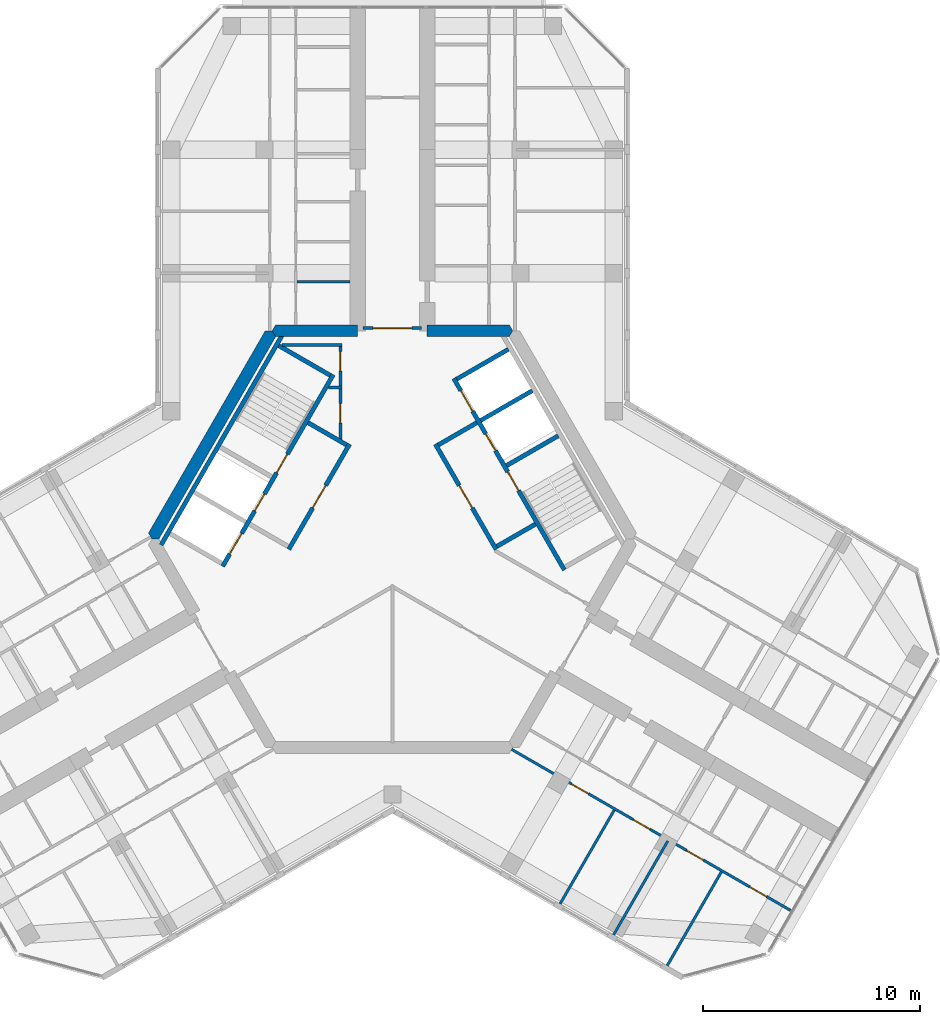
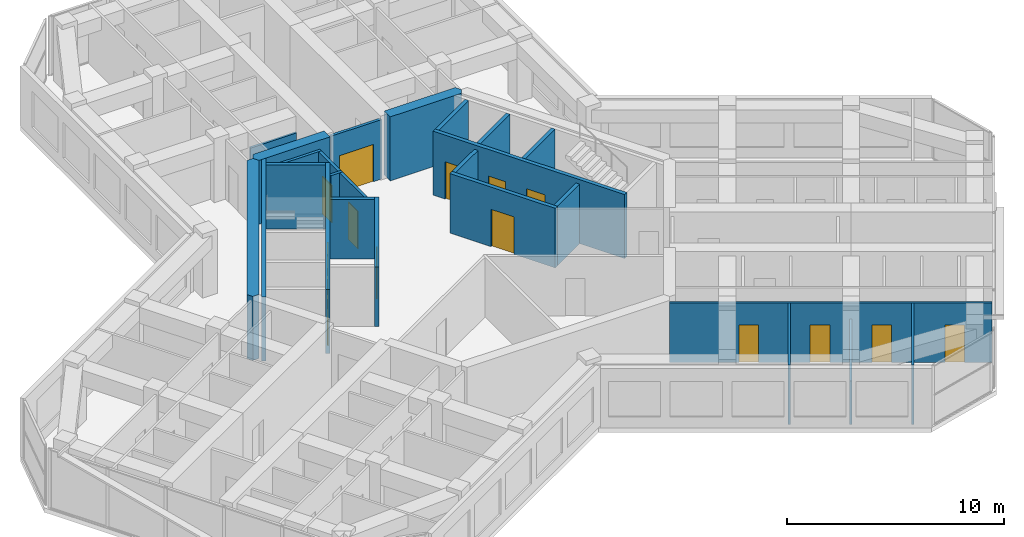
# One storey, part 9 of 14: 24 walls, 15 doors, 15 openings.
"""IFC4 building model written with IfcOpenShell, lengths in metres."""

from ifc_helpers import new_model, si_unit, direction, frame, frame_2d, origin, place, context, subcontext, project, spatial, polyline, rectangle, outline, extrude, material, layer, layer_set, type_object, element, fill, save


model = new_model("IFC4")

# Units and contexts
model_context = context("Model", 3, precision=1e-05, world=origin(), true_north=direction((0.0, 1.0)))
body_context = subcontext(model_context, "Body", "Model", "MODEL_VIEW")
ifc_project = project(units=[si_unit("LENGTHUNIT", "METRE"), si_unit("AREAUNIT", "SQUARE_METRE"), si_unit("VOLUMEUNIT", "CUBIC_METRE"), si_unit("PLANEANGLEUNIT", "RADIAN"), si_unit("MASSUNIT", "GRAM", prefix="KILO")], contexts=[model_context])

# Site, building, storey
site_placement = place(None, origin())
site = spatial("IfcSite", under=ifc_project, at=site_placement, CompositionType="ELEMENT")
building_placement = place(site_placement, origin())
building = spatial("IfcBuilding", under=site, at=building_placement, Name="Kosmar Iwan School Tower", CompositionType="ELEMENT")
storey_placement = place(building_placement, frame((0.0, 0.0, 274.60009765625)))
storey = spatial("IfcBuildingStorey", under=building, at=storey_placement, Name="L69", CompositionType="ELEMENT", Elevation=274.60009765625)

# Wall, openings, doors
ifc_material_1 = material(Name="Gypsum board on steel studs, fire-rated", Category="steel")
ifc_layer_1 = layer(ifc_material_1, 0.14990234375)
ifc_layer_set_1 = layer_set([ifc_layer_1], Name="Core room partition 150")
wall_type_1 = type_object("IfcWallType", Name="Core room partition 150", PredefinedType="PARTITIONING", material=ifc_layer_set_1)
wall_1_placement = place(storey_placement, frame((-2.39990234375, 9.014892578125, 0.0), z_axis=(0.0, 0.0, 1.0), x_axis=(0.0, -1.0, 0.0)))
wall_1 = element("IfcWall", 1, at=wall_1_placement, inside=storey, type_object=wall_type_1, Name="Core room partition L69-CW1", PredefinedType="PARTITIONING", context=body_context, shape_type="SweptSolid", body=[
    extrude(rectangle(XDim=4.484130859375, YDim=0.14990234375, at=frame_2d((2.2421875, 0.0))), origin(), (0.0, 0.0, 1.0), 3.349853515625),
])
opening_1_placement = place(wall_1_placement, frame((0.375, 0.0, 0.0)))
opening_1 = element("IfcOpeningElement", 2, at=opening_1_placement, cuts=wall_1, Name="Opening D14", PredefinedType="OPENING", context=body_context, shape_type="SweptSolid", body=[
    extrude(rectangle(XDim=0.89990234375, YDim=2.10009765625, at=frame_2d((0.449951171875, 1.050048828125))), frame((0.0, 0.0869140625, 0.0), z_axis=(0.0, -1.0, 0.0), x_axis=(1.0, 0.0, 0.0)), (0.0, 0.0, 1.0), 0.173828125),
])
opening_2_placement = place(wall_1_placement, frame((2.77490234375, 0.0, 0.0)))
opening_2 = element("IfcOpeningElement", 3, at=opening_2_placement, cuts=wall_1, Name="Opening D14", PredefinedType="OPENING", context=body_context, shape_type="SweptSolid", body=[
    extrude(rectangle(XDim=0.89990234375, YDim=2.10009765625, at=frame_2d((0.449951171875, 1.050048828125))), frame((0.0, 0.0869140625, 0.0), z_axis=(0.0, -1.0, 0.0), x_axis=(1.0, 0.0, 0.0)), (0.0, 0.0, 1.0), 0.173828125),
])
ifc_material_2 = material(Name="Timber fire door in steel frame", Category="steel")
door_type_1 = type_object("IfcDoorType", Name="Core room door 900x2100", OperationType="SINGLE_SWING_LEFT", PredefinedType="DOOR", material=ifc_material_2)
door_1_placement = place(opening_1_placement, origin())
door_1 = element("IfcDoor", 4, at=door_1_placement, inside=storey, type_object=door_type_1, Name="Electrical riser and switch room door L69 1", OperationType="SINGLE_SWING_LEFT", OverallHeight=2.10009765625, OverallWidth=0.89990234375, PredefinedType="DOOR", context=body_context, shape_type="SweptSolid", body=[
    extrude(rectangle(XDim=0.89990234375, YDim=2.10009765625, at=frame_2d((0.449951171875, 1.050048828125))), frame((0.0, 0.02490234375, 0.0), z_axis=(0.0, -1.0, 0.0), x_axis=(1.0, 0.0, 0.0)), (0.0, 0.0, 1.0), 0.050048828125),
])
fill(opening_1, door_1)
door_2_placement = place(opening_2_placement, origin())
door_2 = element("IfcDoor", 5, at=door_2_placement, inside=storey, type_object=door_type_1, Name="Plumbing and wet riser door L69 2", OperationType="SINGLE_SWING_RIGHT", OverallHeight=2.10009765625, OverallWidth=0.89990234375, PredefinedType="DOOR", context=body_context, shape_type="SweptSolid", body=[
    extrude(rectangle(XDim=0.89990234375, YDim=2.10009765625, at=frame_2d((0.449951171875, 1.050048828125))), frame((0.0, 0.02490234375, 0.0), z_axis=(0.0, -1.0, 0.0), x_axis=(1.0, 0.0, 0.0)), (0.0, 0.0, 1.0), 0.050048828125),
])
fill(opening_2, door_2)

# Walls
wall_2_placement = place(storey_placement, frame((-2.324951171875, 6.985107421875, 0.0), z_axis=(0.0, 0.0, 1.0), x_axis=(-1.0, 0.0, 0.0)))
element("IfcWall", 6, at=wall_2_placement, inside=storey, type_object=wall_type_1, Name="Core room partition L69-CW2", PredefinedType="PARTITIONING", context=body_context, shape_type="SweptSolid", body=[
    extrude(rectangle(XDim=0.623779296875, YDim=0.14990234375, at=frame_2d((0.31201171875, 0.0))), origin(), (0.0, 0.0, 1.0), 3.349853515625),
])
wall_3_placement = place(storey_placement, frame((-5.089599609375, 8.93994140625, 0.0), z_axis=(0.0, 0.0, 1.0), x_axis=(1.0, 0.0, 0.0)))
element("IfcWall", 7, at=wall_3_placement, inside=storey, type_object=wall_type_1, Name="Core room partition L69-CW3", PredefinedType="PARTITIONING", context=body_context, shape_type="SweptSolid", body=[
    extrude(rectangle(XDim=2.7646484375, YDim=0.14990234375, at=frame_2d((1.38232421875, 0.0))), origin(), (0.0, 0.0, 1.0), 3.349853515625),
])
ifc_material_3 = material(Name="Concrete C50/60", Category="concrete")
ifc_layer_2 = layer(ifc_material_3, 0.550048828125)
ifc_layer_set_2 = layer_set([ifc_layer_2], Name="Core wall 550")
wall_type_2 = type_object("IfcWallType", Name="Core wall 550", PredefinedType="SHEAR", material=ifc_layer_set_2)
wall_4_placement = place(storey_placement, origin())
element("IfcWall", 8, at=wall_4_placement, inside=storey, type_object=wall_type_2, Name="Core wall F090a", PredefinedType="SHEAR", context=body_context, shape_type="SweptSolid", body=[
    extrude(outline(polyline([(1.60009765625, 9.324951171875), (5.3837890625, 9.324951171875), (5.54248046875, 9.60009765625), (5.3837890625, 9.875), (1.60009765625, 9.875), (1.60009765625, 9.324951171875)])), origin(), (0.0, 0.0, 1.0), 3.599853515625),
])
wall_5_placement = place(storey_placement, origin())
element("IfcWall", 9, at=wall_5_placement, inside=storey, type_object=wall_type_2, Name="Core wall F090b", PredefinedType="SHEAR", context=body_context, shape_type="SweptSolid", body=[
    extrude(outline(polyline([(-5.3837890625, 9.324951171875), (-1.60009765625, 9.324951171875), (-1.60009765625, 9.875), (-5.3837890625, 9.875), (-5.54248046875, 9.60009765625), (-5.3837890625, 9.324951171875)])), origin(), (0.0, 0.0, 1.0), 3.599853515625),
])
wall_6_placement = place(storey_placement, origin())
element("IfcWall", 10, at=wall_6_placement, inside=storey, type_object=wall_type_2, Name="Core wall F150", PredefinedType="SHEAR", context=body_context, shape_type="SweptSolid", body=[
    extrude(outline(polyline([(-11.085205078125, 0.0), (-10.767578125, 0.0), (-5.3837890625, 9.324951171875), (-5.54248046875, 9.60009765625), (-5.860107421875, 9.60009765625), (-11.243896484375, 0.27490234375), (-11.085205078125, 0.0)])), origin(), (0.0, 0.0, 1.0), 3.599853515625),
])

# Wall, opening, door
ifc_material_4 = material(Name="Steel framed glazed screen", Category="steel")
ifc_layer_3 = layer(ifc_material_4, 0.14990234375)
ifc_layer_set_3 = layer_set([ifc_layer_3], Name="Corridor screen wall 150")
wall_type_3 = type_object("IfcWallType", Name="Corridor screen wall 150", PredefinedType="PARTITIONING", material=ifc_layer_set_3)
wall_7_placement = place(storey_placement, frame((1.35009765625, 9.72509765625, 0.0), z_axis=(0.0, 0.0, 1.0), x_axis=(-1.0, 0.0, 0.0)))
wall_7 = element("IfcWall", 11, at=wall_7_placement, inside=storey, type_object=wall_type_3, Name="Corridor screen A L69", PredefinedType="PARTITIONING", context=body_context, shape_type="SweptSolid", body=[
    extrude(rectangle(XDim=2.7001953125, YDim=0.14990234375, at=frame_2d((1.35009765625, 0.0))), origin(), (0.0, 0.0, 1.0), 3.349853515625),
])
opening_3_placement = place(wall_7_placement, frame((0.449951171875, 0.0, 0.0)))
opening_3 = element("IfcOpeningElement", 12, at=opening_3_placement, cuts=wall_7, Name="Opening D9", PredefinedType="OPENING", context=body_context, shape_type="SweptSolid", body=[
    extrude(rectangle(XDim=1.800048828125, YDim=2.10009765625, at=frame_2d((0.89990234375, 1.050048828125))), frame((0.0, 0.0869140625, 0.0), z_axis=(0.0, -1.0, 0.0), x_axis=(1.0, 0.0, 0.0)), (0.0, 0.0, 1.0), 0.173828125),
])
ifc_material_5 = material(Name="Steel framed glazed smoke door", Category="steel")
door_type_2 = type_object("IfcDoorType", Name="Corridor smoke door pair 1800x2100", OperationType="DOUBLE_DOOR_DOUBLE_SWING", PredefinedType="DOOR", material=ifc_material_5)
door_3_placement = place(opening_3_placement, origin())
door_3 = element("IfcDoor", 13, at=door_3_placement, inside=storey, type_object=door_type_2, Name="Corridor doors A L69", OperationType="DOUBLE_DOOR_DOUBLE_SWING", OverallHeight=2.10009765625, OverallWidth=1.800048828125, PredefinedType="DOOR", context=body_context, shape_type="SweptSolid", body=[
    extrude(rectangle(XDim=1.800048828125, YDim=2.10009765625, at=frame_2d((0.89990234375, 1.050048828125))), frame((0.0, 0.02490234375, 0.0), z_axis=(0.0, -1.0, 0.0), x_axis=(1.0, 0.0, 0.0)), (0.0, 0.0, 1.0), 0.050048828125),
])
fill(opening_3, door_3)

# Wall
ifc_material_6 = material(Name="Gypsum board on steel studs", Category="steel")
ifc_layer_4 = layer(ifc_material_6, 0.1201171875)
ifc_layer_set_4 = layer_set([ifc_layer_4], Name="Dwelling partition 120")
wall_type_4 = type_object("IfcWallType", Name="Dwelling partition 120", PredefinedType="PARTITIONING", material=ifc_layer_set_4)
wall_8_placement = place(storey_placement, frame((-1.949951171875, 11.85009765625, 0.0), z_axis=(0.0, 0.0, 1.0), x_axis=(-1.0, 0.0, 0.0)))
element("IfcWall", 14, at=wall_8_placement, inside=storey, type_object=wall_type_4, Name="Partition L69-AL1-Y1", PredefinedType="PARTITIONING", context=body_context, shape_type="SweptSolid", body=[
    extrude(rectangle(XDim=2.43994140625, YDim=0.1201171875, at=frame_2d((1.219970703125, 0.0))), origin(), (0.0, 0.0, 1.0), 2.449951171875),
])

# Wall, openings, doors
wall_9_placement = place(storey_placement, frame((5.48876953125, -9.693115234375, 0.0), z_axis=(0.0, 0.0, 1.0), x_axis=(0.866030301974, -0.499991515992, 0.0)))
wall_9 = element("IfcWall", 15, at=wall_9_placement, inside=storey, type_object=wall_type_4, Name="Partition L69-CR1-W2", PredefinedType="PARTITIONING", context=body_context, shape_type="SweptSolid", body=[
    extrude(rectangle(XDim=14.844970703125, YDim=0.1201171875, at=frame_2d((7.42236328125, 0.0))), origin(), (0.0, 0.0, 1.0), 3.349853515625),
])
opening_4_placement = place(wall_9_placement, frame((3.199951171875, 0.0, 0.0)))
opening_4 = element("IfcOpeningElement", 16, at=opening_4_placement, cuts=wall_9, Name="Opening D2", PredefinedType="OPENING", context=body_context, shape_type="SweptSolid", body=[
    extrude(rectangle(XDim=0.89990234375, YDim=2.10009765625, at=frame_2d((0.449951171875, 1.050048828125))), frame((0.0, 0.072021484375, 0.0), z_axis=(0.0, -1.0, 0.0), x_axis=(1.0, 0.0, 0.0)), (0.0, 0.0, 1.0), 0.14404296875),
])
opening_5_placement = place(wall_9_placement, frame((6.47509765625, 0.0, 0.0)))
opening_5 = element("IfcOpeningElement", 17, at=opening_5_placement, cuts=wall_9, Name="Opening D2", PredefinedType="OPENING", context=body_context, shape_type="SweptSolid", body=[
    extrude(rectangle(XDim=0.89990234375, YDim=2.10009765625, at=frame_2d((0.449951171875, 1.050048828125))), frame((0.0, 0.072021484375, 0.0), z_axis=(0.0, -1.0, 0.0), x_axis=(1.0, 0.0, 0.0)), (0.0, 0.0, 1.0), 0.14404296875),
])
opening_6_placement = place(wall_9_placement, frame((9.324951171875, 0.0, 0.0)))
opening_6 = element("IfcOpeningElement", 18, at=opening_6_placement, cuts=wall_9, Name="Opening D2", PredefinedType="OPENING", context=body_context, shape_type="SweptSolid", body=[
    extrude(rectangle(XDim=0.89990234375, YDim=2.10009765625, at=frame_2d((0.449951171875, 1.050048828125))), frame((0.0, 0.072021484375, 0.0), z_axis=(0.0, -1.0, 0.0), x_axis=(1.0, 0.0, 0.0)), (0.0, 0.0, 1.0), 0.14404296875),
])
opening_7_placement = place(wall_9_placement, frame((12.675048828125, 0.0, 0.0)))
opening_7 = element("IfcOpeningElement", 19, at=opening_7_placement, cuts=wall_9, Name="Opening D2", PredefinedType="OPENING", context=body_context, shape_type="SweptSolid", body=[
    extrude(rectangle(XDim=0.89990234375, YDim=2.10009765625, at=frame_2d((0.449951171875, 1.050048828125))), frame((0.0, 0.072021484375, 0.0), z_axis=(0.0, -1.0, 0.0), x_axis=(1.0, 0.0, 0.0)), (0.0, 0.0, 1.0), 0.14404296875),
])
ifc_material_7 = material(Name="Timber door in timber frame", Category="wood")
door_type_3 = type_object("IfcDoorType", Name="Internal door 900x2100", OperationType="SINGLE_SWING_LEFT", PredefinedType="DOOR", material=ifc_material_7)
door_4_placement = place(opening_4_placement, origin())
door_4 = element("IfcDoor", 20, at=door_4_placement, inside=storey, type_object=door_type_3, Name="Living room and kitchen door L69-CR1-F1", OperationType="SINGLE_SWING_LEFT", OverallHeight=2.10009765625, OverallWidth=0.89990234375, PredefinedType="DOOR", context=body_context, shape_type="SweptSolid", body=[
    extrude(rectangle(XDim=0.89990234375, YDim=2.10009765625, at=frame_2d((0.449951171875, 1.050048828125))), frame((0.0, 0.02490234375, 0.0), z_axis=(0.0, -1.0, 0.0), x_axis=(1.0, 0.0, 0.0)), (0.0, 0.0, 1.0), 0.050048828125),
])
fill(opening_4, door_4)
door_5_placement = place(opening_5_placement, origin())
door_5 = element("IfcDoor", 21, at=door_5_placement, inside=storey, type_object=door_type_3, Name="Bedroom 1 door L69-CR1-F2", OperationType="SINGLE_SWING_LEFT", OverallHeight=2.10009765625, OverallWidth=0.89990234375, PredefinedType="DOOR", context=body_context, shape_type="SweptSolid", body=[
    extrude(rectangle(XDim=0.89990234375, YDim=2.10009765625, at=frame_2d((0.449951171875, 1.050048828125))), frame((0.0, 0.02490234375, 0.0), z_axis=(0.0, -1.0, 0.0), x_axis=(1.0, 0.0, 0.0)), (0.0, 0.0, 1.0), 0.050048828125),
])
fill(opening_5, door_5)
door_6_placement = place(opening_6_placement, origin())
door_6 = element("IfcDoor", 22, at=door_6_placement, inside=storey, type_object=door_type_3, Name="Dining room door L69-CR1-F3", OperationType="SINGLE_SWING_RIGHT", OverallHeight=2.10009765625, OverallWidth=0.89990234375, PredefinedType="DOOR", context=body_context, shape_type="SweptSolid", body=[
    extrude(rectangle(XDim=0.89990234375, YDim=2.10009765625, at=frame_2d((0.449951171875, 1.050048828125))), frame((0.0, 0.02490234375, 0.0), z_axis=(0.0, -1.0, 0.0), x_axis=(1.0, 0.0, 0.0)), (0.0, 0.0, 1.0), 0.050048828125),
])
fill(opening_6, door_6)
door_7_placement = place(opening_7_placement, origin())
door_7 = element("IfcDoor", 23, at=door_7_placement, inside=storey, type_object=door_type_3, Name="Study door L69-CR1-F4", OperationType="SINGLE_SWING_RIGHT", OverallHeight=2.10009765625, OverallWidth=0.89990234375, PredefinedType="DOOR", context=body_context, shape_type="SweptSolid", body=[
    extrude(rectangle(XDim=0.89990234375, YDim=2.10009765625, at=frame_2d((0.449951171875, 1.050048828125))), frame((0.0, 0.02490234375, 0.0), z_axis=(0.0, -1.0, 0.0), x_axis=(1.0, 0.0, 0.0)), (0.0, 0.0, 1.0), 0.050048828125),
])
fill(opening_7, door_7)

# Walls
wall_10_placement = place(storey_placement, frame((10.221923828125, -12.4951171875, 0.0), z_axis=(0.0, 0.0, 1.0), x_axis=(-0.499996339024, -0.86602751744, 0.0)))
element("IfcWall", 24, at=wall_10_placement, inside=storey, type_object=wall_type_4, Name="Partition L69-CR1-X1", PredefinedType="PARTITIONING", context=body_context, shape_type="SweptSolid", body=[
    extrude(rectangle(XDim=4.98974609375, YDim=0.1201171875, at=frame_2d((2.494873046875, 0.0))), origin(), (0.0, 0.0, 1.0), 3.349853515625),
])
wall_11_placement = place(storey_placement, frame((12.690185546875, -13.919921875, 0.0), z_axis=(0.0, 0.0, 1.0), x_axis=(-0.500011847778, -0.866018563358, 0.0)))
element("IfcWall", 25, at=wall_11_placement, inside=storey, type_object=wall_type_4, Name="Partition L69-CR1-X2", PredefinedType="PARTITIONING", context=body_context, shape_type="SweptSolid", body=[
    extrude(rectangle(XDim=4.990234375, YDim=0.1201171875, at=frame_2d((2.4951171875, 0.0))), origin(), (0.0, 0.0, 1.0), 2.449951171875),
])
wall_12_placement = place(storey_placement, frame((15.158447265625, -15.344970703125, 0.0), z_axis=(0.0, 0.0, 1.0), x_axis=(-0.500011847778, -0.866018563358, 0.0)))
element("IfcWall", 26, at=wall_12_placement, inside=storey, type_object=wall_type_4, Name="Partition L69-CR1-X3", PredefinedType="PARTITIONING", context=body_context, shape_type="SweptSolid", body=[
    extrude(rectangle(XDim=4.990234375, YDim=0.1201171875, at=frame_2d((2.4951171875, 0.0))), origin(), (0.0, 0.0, 1.0), 3.349853515625),
])

# Wall, opening, door
ifc_material_8 = material(Name="Concrete block masonry", Category="masonry")
ifc_layer_5 = layer(ifc_material_8, 0.199951171875)
ifc_layer_set_5 = layer_set([ifc_layer_5], Name="Fire lobby wall 200")
wall_type_5 = type_object("IfcWallType", Name="Fire lobby wall 200", PredefinedType="PARTITIONING", material=ifc_layer_set_5)
wall_13_placement = place(storey_placement, frame((-1.9775390625, 4.374755859375, 0.0), z_axis=(0.0, 0.0, 1.0), x_axis=(-0.500016814911, -0.866015695474, 0.0)))
wall_13 = element("IfcWall", 27, at=wall_13_placement, inside=storey, type_object=wall_type_5, Name="Firefighting lobby wall ST2", PredefinedType="PARTITIONING", context=body_context, shape_type="SweptSolid", body=[
    extrude(rectangle(XDim=5.599853515625, YDim=0.199951171875, at=frame_2d((2.7998046875, 0.0))), origin(), (0.0, 0.0, 1.0), 3.349853515625),
])
opening_8_placement = place(wall_13_placement, frame((2.199951171875, 0.0, 0.0)))
opening_8 = element("IfcOpeningElement", 28, at=opening_8_placement, cuts=wall_13, Name="Opening D7", PredefinedType="OPENING", context=body_context, shape_type="SweptSolid", body=[
    extrude(rectangle(XDim=1.199951171875, YDim=2.10009765625, at=frame_2d((0.60009765625, 1.050048828125))), frame((0.0, 0.112060546875, 0.0), z_axis=(0.0, -1.0, 0.0), x_axis=(1.0, 0.0, 0.0)), (0.0, 0.0, 1.0), 0.223876953125),
])
ifc_material_9 = material(Name="Steel fire door", Category="steel")
door_type_4 = type_object("IfcDoorType", Name="Fire lobby door 1200x2100", OperationType="SINGLE_SWING_LEFT", PredefinedType="DOOR", material=ifc_material_9)
door_8_placement = place(opening_8_placement, origin())
door_8 = element("IfcDoor", 29, at=door_8_placement, inside=storey, type_object=door_type_4, Name="Firefighting lobby door ST2 L69", OperationType="SINGLE_SWING_LEFT", OverallHeight=2.10009765625, OverallWidth=1.199951171875, PredefinedType="DOOR", context=body_context, shape_type="SweptSolid", body=[
    extrude(rectangle(XDim=1.199951171875, YDim=2.10009765625, at=frame_2d((0.60009765625, 1.050048828125))), frame((0.0, 0.02490234375, 0.0), z_axis=(0.0, -1.0, 0.0), x_axis=(1.0, 0.0, 0.0)), (0.0, 0.0, 1.0), 0.050048828125),
])
fill(opening_8, door_8)

# Wall
wall_14_placement = place(storey_placement, frame((-2.114013671875, 4.33837890625, 0.0), z_axis=(0.0, 0.0, 1.0), x_axis=(-0.866050731258, 0.499956128963, 0.0)))
element("IfcWall", 30, at=wall_14_placement, inside=storey, type_object=wall_type_5, Name="Firefighting lobby wall ST2", PredefinedType="PARTITIONING", context=body_context, shape_type="SweptSolid", body=[
    extrude(rectangle(XDim=2.050048828125, YDim=0.199951171875, at=frame_2d((1.02490234375, 0.0))), origin(), (0.0, 0.0, 1.0), 3.349853515625),
])

# Wall, opening, door
wall_15_placement = place(storey_placement, frame((4.777587890625, -0.474853515625, 0.0), z_axis=(0.0, 0.0, 1.0), x_axis=(-0.500016814911, 0.866015695474, 0.0)))
wall_15 = element("IfcWall", 31, at=wall_15_placement, inside=storey, type_object=wall_type_5, Name="Firefighting lobby wall ST1", PredefinedType="PARTITIONING", context=body_context, shape_type="SweptSolid", body=[
    extrude(rectangle(XDim=5.599853515625, YDim=0.199951171875, at=frame_2d((2.7998046875, 0.0))), origin(), (0.0, 0.0, 1.0), 3.349853515625),
])
opening_9_placement = place(wall_15_placement, frame((2.199951171875, 0.0, 0.0)))
opening_9 = element("IfcOpeningElement", 32, at=opening_9_placement, cuts=wall_15, Name="Opening D7", PredefinedType="OPENING", context=body_context, shape_type="SweptSolid", body=[
    extrude(rectangle(XDim=1.199951171875, YDim=2.10009765625, at=frame_2d((0.60009765625, 1.050048828125))), frame((0.0, 0.112060546875, 0.0), z_axis=(0.0, -1.0, 0.0), x_axis=(1.0, 0.0, 0.0)), (0.0, 0.0, 1.0), 0.223876953125),
])
door_9_placement = place(opening_9_placement, origin())
door_9 = element("IfcDoor", 33, at=door_9_placement, inside=storey, type_object=door_type_4, Name="Firefighting lobby door ST1 L69", OperationType="SINGLE_SWING_LEFT", OverallHeight=2.10009765625, OverallWidth=1.199951171875, PredefinedType="DOOR", context=body_context, shape_type="SweptSolid", body=[
    extrude(rectangle(XDim=1.199951171875, YDim=2.10009765625, at=frame_2d((0.60009765625, 1.050048828125))), frame((0.0, 0.02490234375, 0.0), z_axis=(0.0, -1.0, 0.0), x_axis=(1.0, 0.0, 0.0)), (0.0, 0.0, 1.0), 0.050048828125),
])
fill(opening_9, door_9)

# Walls
wall_16_placement = place(storey_placement, frame((4.814208984375, -0.33837890625, 0.0), z_axis=(0.0, 0.0, 1.0), x_axis=(0.865969381856, 0.500097020274, 0.0)))
element("IfcWall", 34, at=wall_16_placement, inside=storey, type_object=wall_type_5, Name="Firefighting lobby wall ST1", PredefinedType="PARTITIONING", context=body_context, shape_type="SweptSolid", body=[
    extrude(rectangle(XDim=2.0498046875, YDim=0.199951171875, at=frame_2d((1.02490234375, 0.0))), origin(), (0.0, 0.0, 1.0), 3.349853515625),
])
wall_17_placement = place(storey_placement, frame((2.114013671875, 4.33837890625, 0.0), z_axis=(0.0, 0.0, 1.0), x_axis=(0.866050731258, 0.499956128963, 0.0)))
element("IfcWall", 35, at=wall_17_placement, inside=storey, type_object=wall_type_5, Name="Firefighting lobby wall ST1", PredefinedType="PARTITIONING", context=body_context, shape_type="SweptSolid", body=[
    extrude(rectangle(XDim=2.050048828125, YDim=0.199951171875, at=frame_2d((1.02490234375, 0.0))), origin(), (0.0, 0.0, 1.0), 3.349853515625),
])

# Wall, openings, doors
ifc_material_10 = material(Name="Concrete C50/60", Category="concrete")
ifc_layer_6 = layer(ifc_material_10, 0.199951171875)
ifc_layer_set_6 = layer_set([ifc_layer_6], Name="Lift shaft wall 200")
wall_type_6 = type_object("IfcWallType", Name="Lift shaft wall 200", PredefinedType="SHEAR", material=ifc_layer_set_6)
wall_18_placement = place(storey_placement, frame((-2.72607421875, 7.578369140625, 0.0), z_axis=(0.0, 0.0, 1.0), x_axis=(-0.500005610874, -0.86602216432, 0.0)))
wall_18 = element("IfcWall", 36, at=wall_18_placement, inside=storey, type_object=wall_type_6, Name="Lift and stair front wall AB", PredefinedType="SHEAR", context=body_context, shape_type="SweptSolid", body=[
    extrude(rectangle(XDim=10.2001953125, YDim=0.199951171875, at=frame_2d((5.10009765625, 0.0))), origin(), (0.0, 0.0, 1.0), 3.599853515625),
])
opening_10_placement = place(wall_18_placement, frame((6.35009765625, 0.0, 0.0)))
opening_10 = element("IfcOpeningElement", 37, at=opening_10_placement, cuts=wall_18, Name="Opening LD2", PredefinedType="OPENING", context=body_context, shape_type="SweptSolid", body=[
    extrude(rectangle(XDim=0.89990234375, YDim=2.10009765625, at=frame_2d((0.449951171875, 1.050048828125))), frame((0.0, 0.112060546875, 0.0), z_axis=(0.0, -1.0, 0.0), x_axis=(1.0, 0.0, 0.0)), (0.0, 0.0, 1.0), 0.223876953125),
])
opening_11_placement = place(wall_18_placement, frame((8.449951171875, 0.0, 0.0)))
opening_11 = element("IfcOpeningElement", 38, at=opening_11_placement, cuts=wall_18, Name="Opening LD1", PredefinedType="OPENING", context=body_context, shape_type="SweptSolid", body=[
    extrude(rectangle(XDim=1.10009765625, YDim=2.10009765625, at=frame_2d((0.550048828125, 1.050048828125))), frame((0.0, 0.112060546875, 0.0), z_axis=(0.0, -1.0, 0.0), x_axis=(1.0, 0.0, 0.0)), (0.0, 0.0, 1.0), 0.223876953125),
])
opening_12_placement = place(wall_18_placement, frame((4.22998046875, 0.0, 0.0)))
opening_12 = element("IfcOpeningElement", 39, at=opening_12_placement, cuts=wall_18, Name="Opening D6", PredefinedType="OPENING", context=body_context, shape_type="SweptSolid", body=[
    extrude(rectangle(XDim=1.0, YDim=2.10009765625, at=frame_2d((0.5, 1.050048828125))), frame((0.0, 0.112060546875, 0.0), z_axis=(0.0, -1.0, 0.0), x_axis=(1.0, 0.0, 0.0)), (0.0, 0.0, 1.0), 0.223876953125),
])
ifc_material_11 = material(Name="Stainless steel sliding lift door", Category="steel")
door_type_5 = type_object("IfcDoorType", Name="Firefighting lift landing door 900x2100", OperationType="SLIDING_TO_LEFT", PredefinedType="DOOR", material=ifc_material_11)
door_10_placement = place(opening_10_placement, origin())
door_10 = element("IfcDoor", 40, at=door_10_placement, inside=storey, type_object=door_type_5, Name="Lift FF2 landing door L69", OperationType="SLIDING_TO_LEFT", OverallHeight=2.10009765625, OverallWidth=0.89990234375, PredefinedType="DOOR", context=body_context, shape_type="SweptSolid", body=[
    extrude(rectangle(XDim=0.89990234375, YDim=2.10009765625, at=frame_2d((0.449951171875, 1.050048828125))), frame((0.0, 0.02490234375, 0.0), z_axis=(0.0, -1.0, 0.0), x_axis=(1.0, 0.0, 0.0)), (0.0, 0.0, 1.0), 0.050048828125),
])
fill(opening_10, door_10)
ifc_material_12 = material(Name="Stainless steel sliding lift door", Category="steel")
door_type_6 = type_object("IfcDoorType", Name="Lift landing door 1100x2100", OperationType="SLIDING_TO_LEFT", PredefinedType="DOOR", material=ifc_material_12)
door_11_placement = place(opening_11_placement, origin())
door_11 = element("IfcDoor", 41, at=door_11_placement, inside=storey, type_object=door_type_6, Name="Lift PL6 landing door L69", OperationType="SLIDING_TO_LEFT", OverallHeight=2.10009765625, OverallWidth=1.10009765625, PredefinedType="DOOR", context=body_context, shape_type="SweptSolid", body=[
    extrude(rectangle(XDim=1.10009765625, YDim=2.10009765625, at=frame_2d((0.550048828125, 1.050048828125))), frame((0.0, 0.02490234375, 0.0), z_axis=(0.0, -1.0, 0.0), x_axis=(1.0, 0.0, 0.0)), (0.0, 0.0, 1.0), 0.050048828125),
])
fill(opening_11, door_11)
ifc_material_13 = material(Name="Steel fire door", Category="steel")
door_type_7 = type_object("IfcDoorType", Name="Stair door 1000x2100", OperationType="SINGLE_SWING_LEFT", PredefinedType="DOOR", material=ifc_material_13)
door_12_placement = place(opening_12_placement, origin())
door_12 = element("IfcDoor", 42, at=door_12_placement, inside=storey, type_object=door_type_7, Name="Stair ST2 door L69", OperationType="SINGLE_SWING_LEFT", OverallHeight=2.10009765625, OverallWidth=1.0, PredefinedType="DOOR", context=body_context, shape_type="SweptSolid", body=[
    extrude(rectangle(XDim=1.0, YDim=2.10009765625, at=frame_2d((0.5, 1.050048828125))), frame((0.0, 0.02490234375, 0.0), z_axis=(0.0, -1.0, 0.0), x_axis=(1.0, 0.0, 0.0)), (0.0, 0.0, 1.0), 0.050048828125),
])
fill(opening_12, door_12)

# Wall
wall_19_placement = place(storey_placement, frame((-5.09521484375, 9.375, 0.0), z_axis=(0.0, 0.0, 1.0), x_axis=(-0.499994302092, -0.866028693448, 0.0)))
element("IfcWall", 43, at=wall_19_placement, inside=storey, type_object=wall_type_6, Name="Lift and stair back wall AB", PredefinedType="SHEAR", context=body_context, shape_type="SweptSolid", body=[
    extrude(rectangle(XDim=11.142822265625, YDim=0.199951171875, at=frame_2d((5.5712890625, 0.0))), origin(), (0.0, 0.0, 1.0), 3.599853515625),
])

# Wall, openings, doors
wall_20_placement = place(storey_placement, frame((7.926025390625, -1.42822265625, 0.0), z_axis=(0.0, 0.0, 1.0), x_axis=(-0.499998023675, 0.866026544813, 0.0)))
wall_20 = element("IfcWall", 44, at=wall_20_placement, inside=storey, type_object=wall_type_6, Name="Lift and stair front wall AC", PredefinedType="SHEAR", context=body_context, shape_type="SweptSolid", body=[
    extrude(rectangle(XDim=10.19970703125, YDim=0.199951171875, at=frame_2d((5.099853515625, 0.0))), origin(), (0.0, 0.0, 1.0), 3.599853515625),
])
opening_13_placement = place(wall_20_placement, frame((6.35009765625, 0.0, 0.0)))
opening_13 = element("IfcOpeningElement", 45, at=opening_13_placement, cuts=wall_20, Name="Opening LD2", PredefinedType="OPENING", context=body_context, shape_type="SweptSolid", body=[
    extrude(rectangle(XDim=0.89990234375, YDim=2.10009765625, at=frame_2d((0.449951171875, 1.050048828125))), frame((0.0, 0.112060546875, 0.0), z_axis=(0.0, -1.0, 0.0), x_axis=(1.0, 0.0, 0.0)), (0.0, 0.0, 1.0), 0.223876953125),
])
opening_14_placement = place(wall_20_placement, frame((8.449951171875, 0.0, 0.0)))
opening_14 = element("IfcOpeningElement", 46, at=opening_14_placement, cuts=wall_20, Name="Opening LD1", PredefinedType="OPENING", context=body_context, shape_type="SweptSolid", body=[
    extrude(rectangle(XDim=1.10009765625, YDim=2.10009765625, at=frame_2d((0.550048828125, 1.050048828125))), frame((0.0, 0.112060546875, 0.0), z_axis=(0.0, -1.0, 0.0), x_axis=(1.0, 0.0, 0.0)), (0.0, 0.0, 1.0), 0.223876953125),
])
opening_15_placement = place(wall_20_placement, frame((4.22998046875, 0.0, 0.0)))
opening_15 = element("IfcOpeningElement", 47, at=opening_15_placement, cuts=wall_20, Name="Opening D6", PredefinedType="OPENING", context=body_context, shape_type="SweptSolid", body=[
    extrude(rectangle(XDim=1.0, YDim=2.10009765625, at=frame_2d((0.5, 1.050048828125))), frame((0.0, 0.112060546875, 0.0), z_axis=(0.0, -1.0, 0.0), x_axis=(1.0, 0.0, 0.0)), (0.0, 0.0, 1.0), 0.223876953125),
])
door_13_placement = place(opening_13_placement, origin())
door_13 = element("IfcDoor", 48, at=door_13_placement, inside=storey, type_object=door_type_5, Name="Lift FF1 landing door L69", OperationType="SLIDING_TO_LEFT", OverallHeight=2.10009765625, OverallWidth=0.89990234375, PredefinedType="DOOR", context=body_context, shape_type="SweptSolid", body=[
    extrude(rectangle(XDim=0.89990234375, YDim=2.10009765625, at=frame_2d((0.449951171875, 1.050048828125))), frame((0.0, 0.02490234375, 0.0), z_axis=(0.0, -1.0, 0.0), x_axis=(1.0, 0.0, 0.0)), (0.0, 0.0, 1.0), 0.050048828125),
])
fill(opening_13, door_13)
door_14_placement = place(opening_14_placement, origin())
door_14 = element("IfcDoor", 49, at=door_14_placement, inside=storey, type_object=door_type_6, Name="Lift PL5 landing door L69", OperationType="SLIDING_TO_LEFT", OverallHeight=2.10009765625, OverallWidth=1.10009765625, PredefinedType="DOOR", context=body_context, shape_type="SweptSolid", body=[
    extrude(rectangle(XDim=1.10009765625, YDim=2.10009765625, at=frame_2d((0.550048828125, 1.050048828125))), frame((0.0, 0.02490234375, 0.0), z_axis=(0.0, -1.0, 0.0), x_axis=(1.0, 0.0, 0.0)), (0.0, 0.0, 1.0), 0.050048828125),
])
fill(opening_14, door_14)
door_15_placement = place(opening_15_placement, origin())
door_15 = element("IfcDoor", 50, at=door_15_placement, inside=storey, type_object=door_type_7, Name="Stair ST1 door L69", OperationType="SINGLE_SWING_LEFT", OverallHeight=2.10009765625, OverallWidth=1.0, PredefinedType="DOOR", context=body_context, shape_type="SweptSolid", body=[
    extrude(rectangle(XDim=1.0, YDim=2.10009765625, at=frame_2d((0.5, 1.050048828125))), frame((0.0, 0.02490234375, 0.0), z_axis=(0.0, -1.0, 0.0), x_axis=(1.0, 0.0, 0.0)), (0.0, 0.0, 1.0), 0.050048828125),
])
fill(opening_15, door_15)

# Walls
for number, where, z_axis, x_axis, name in (
    (51, (4.062744140625, 5.46337890625, 0.0), (0.0, 0.0, 1.0), (0.866027397988, 0.499996545922, 0.0), "Lift shaft wall AC 1"),
    (52, (2.962646484375, 7.368408203125, 0.0), (0.0, 0.0, 1.0), (0.866027397988, 0.499996545922, 0.0), "Lift shaft wall AC 2"),
):
    element("IfcWall", number, at=place(storey_placement, frame(where, z_axis=z_axis, x_axis=x_axis)), inside=storey, type_object=wall_type_6, Name=name, PredefinedType="SHEAR", context=body_context, shape_type="SweptSolid", body=[
        extrude(rectangle(XDim=2.75, YDim=0.199951171875, at=frame_2d((1.375, 0.0))), origin(), (0.0, 0.0, 1.0), 3.599853515625),
    ])
ifc_material_14 = material(Name="Concrete C50/60", Category="concrete")
ifc_layer_7 = layer(ifc_material_14, 0.199951171875)
ifc_layer_set_7 = layer_set([ifc_layer_7], Name="Stair enclosure wall 200")
wall_type_7 = type_object("IfcWallType", Name="Stair enclosure wall 200", PredefinedType="SHEAR", material=ifc_layer_set_7)
for number, where, z_axis, x_axis, name in (
    (53, (-2.862548828125, 7.541748046875, 0.0), (0.0, 0.0, 1.0), (-0.866027397988, 0.499996545922, 0.0), "Stair ST2 wall"),
    (54, (5.2626953125, 3.384765625, 0.0), (0.0, 0.0, 1.0), (0.866027397988, 0.499996545922, 0.0), "Stair ST1 wall"),
):
    element("IfcWall", number, at=place(storey_placement, frame(where, z_axis=z_axis, x_axis=x_axis)), inside=storey, type_object=wall_type_7, Name=name, PredefinedType="SHEAR", context=body_context, shape_type="SweptSolid", body=[
        extrude(rectangle(XDim=2.75, YDim=0.199951171875, at=frame_2d((1.375, 0.0))), origin(), (0.0, 0.0, 1.0), 3.599853515625),
    ])

save(model, "model.ifc")
